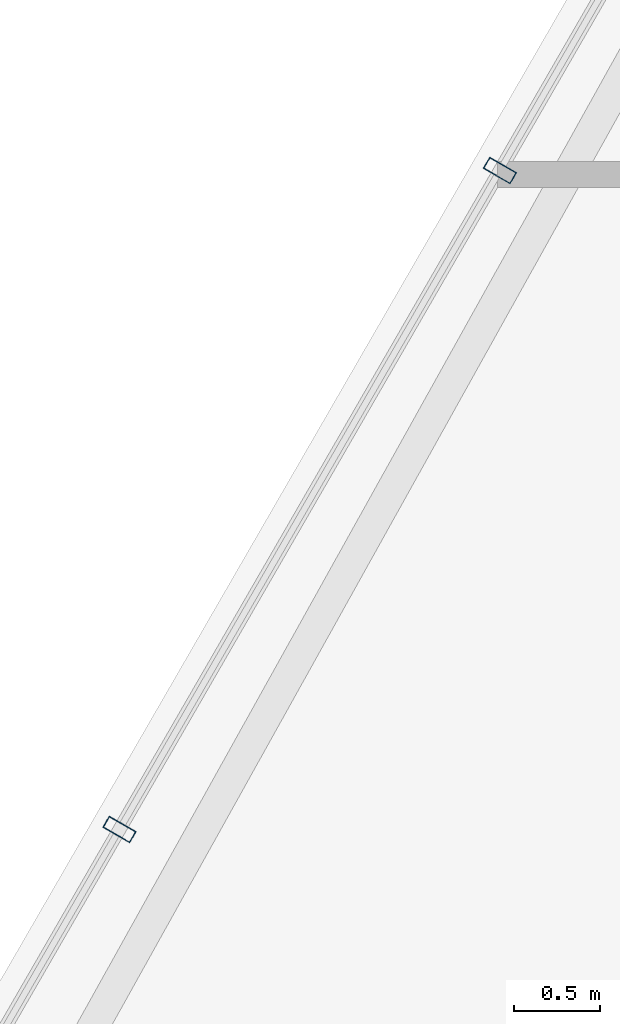
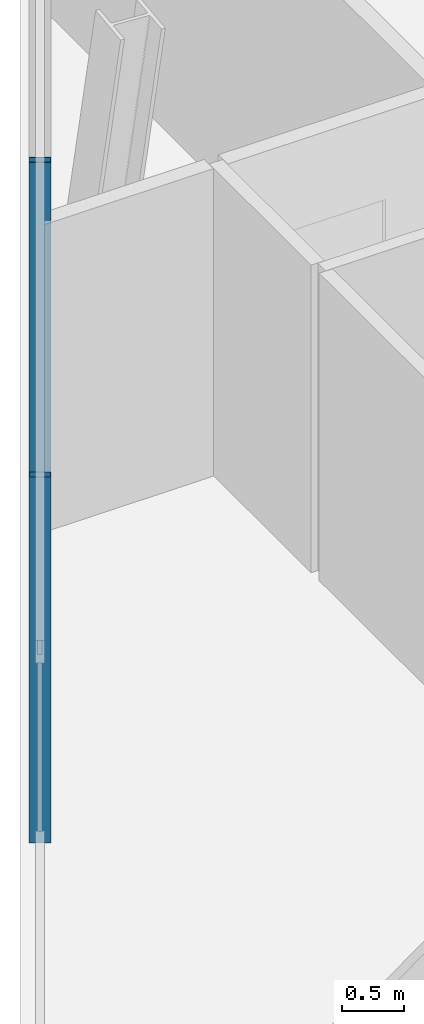
# One storey, part 11 of 32: 2 members, 1 element without a shape of its own.
"""IFC4 building model written with IfcOpenShell, lengths in metres."""

from ifc_helpers import new_model, si_unit, direction, frame, origin, origin_2d, place, context, subcontext, project, spatial, hollow_rectangle, extrude, material, layer, layer_set, material_profile, profile_set, type_object, element, aggregate, save


model = new_model("IFC4")

# Units and contexts
model_context = context("Model", 3, precision=1e-05, world=origin(), true_north=direction((0.0, 1.0)))
body_context = subcontext(model_context, "Body", "Model", "MODEL_VIEW")
ifc_project = project(units=[si_unit("LENGTHUNIT", "METRE"), si_unit("AREAUNIT", "SQUARE_METRE"), si_unit("VOLUMEUNIT", "CUBIC_METRE"), si_unit("PLANEANGLEUNIT", "RADIAN"), si_unit("MASSUNIT", "GRAM", prefix="KILO")], contexts=[model_context])

# Site, building, storey
site_placement = place(None, origin())
site = spatial("IfcSite", under=ifc_project, at=site_placement, CompositionType="ELEMENT")
building_placement = place(site_placement, origin())
building = spatial("IfcBuilding", under=site, at=building_placement, Name="Ndaravel Arena Tower", CompositionType="ELEMENT")
storey_placement = place(building_placement, frame((0.0, 0.0, 259.800048828125)))
storey = spatial("IfcBuildingStorey", under=building, at=storey_placement, Name="L63", CompositionType="ELEMENT", Elevation=259.800048828125)

# Curtain wall, members
ifc_material_1 = material(Name="Aluminium", Category="aluminium")
ifc_layer = layer(ifc_material_1, 0.179931640625)
ifc_layer_set = layer_set([ifc_layer], Name="Aluminium")
curtain_wall_type = type_object("IfcCurtainWallType", Name="CW-SYS-03", PredefinedType="NOTDEFINED", material=ifc_layer_set)
curtain_wall_placement = place(storey_placement, origin())
curtain_wall = element("IfcCurtainWall", 1, at=curtain_wall_placement, inside=storey, type_object=curtain_wall_type, Name="L63 Faceted Crystal Curtain Wall CW-L63-E05", PredefinedType="NOTDEFINED")
ifc_material_2 = material(Name="Aluminium", Category="aluminium")
ifc_material_profile = material_profile(ifc_material_2, hollow_rectangle(XDim=0.074951171875, YDim=0.179931640625, WallThickness=0.00390625, at=origin_2d()), Name="CW MULLION 75x180x4")
ifc_profile_set = profile_set([ifc_material_profile], Name="Aluminium")
member_type = type_object("IfcMemberType", Name="MEM-CW-MUL180", PredefinedType="MULLION", material=ifc_profile_set)
member_1_placement = place(storey_placement, frame((27.984619140625, 25.6240234375, 0.0), z_axis=(0.0, 0.0, 1.0), x_axis=(-0.5, -0.866025403784, 0.0)))
member_1 = element("IfcMember", 2, at=member_1_placement, type_object=member_type, Name="CW-L63-E05 Mullion 05", PredefinedType="MULLION", context=body_context, shape_type="SweptSolid", body=[
    extrude(hollow_rectangle(XDim=0.074951171875, YDim=0.179931640625, WallThickness=0.00390625, at=origin_2d()), origin(), (0.0, 0.0, 1.0), 3.579833984375),
])
member_2_placement = place(storey_placement, frame((25.784423828125, 21.81298828125, 0.0), z_axis=(0.0, 0.0, 1.0), x_axis=(-0.5, -0.866025403784, 0.0)))
member_2 = element("IfcMember", 3, at=member_2_placement, type_object=member_type, Name="CW-L63-E05 Mullion 06", PredefinedType="MULLION", context=body_context, shape_type="SweptSolid", body=[
    extrude(hollow_rectangle(XDim=0.074951171875, YDim=0.179931640625, WallThickness=0.00390625, at=origin_2d()), origin(), (0.0, 0.0, 1.0), 3.579833984375),
])
aggregate(curtain_wall, [member_1, member_2])

save(model, "model.ifc")
